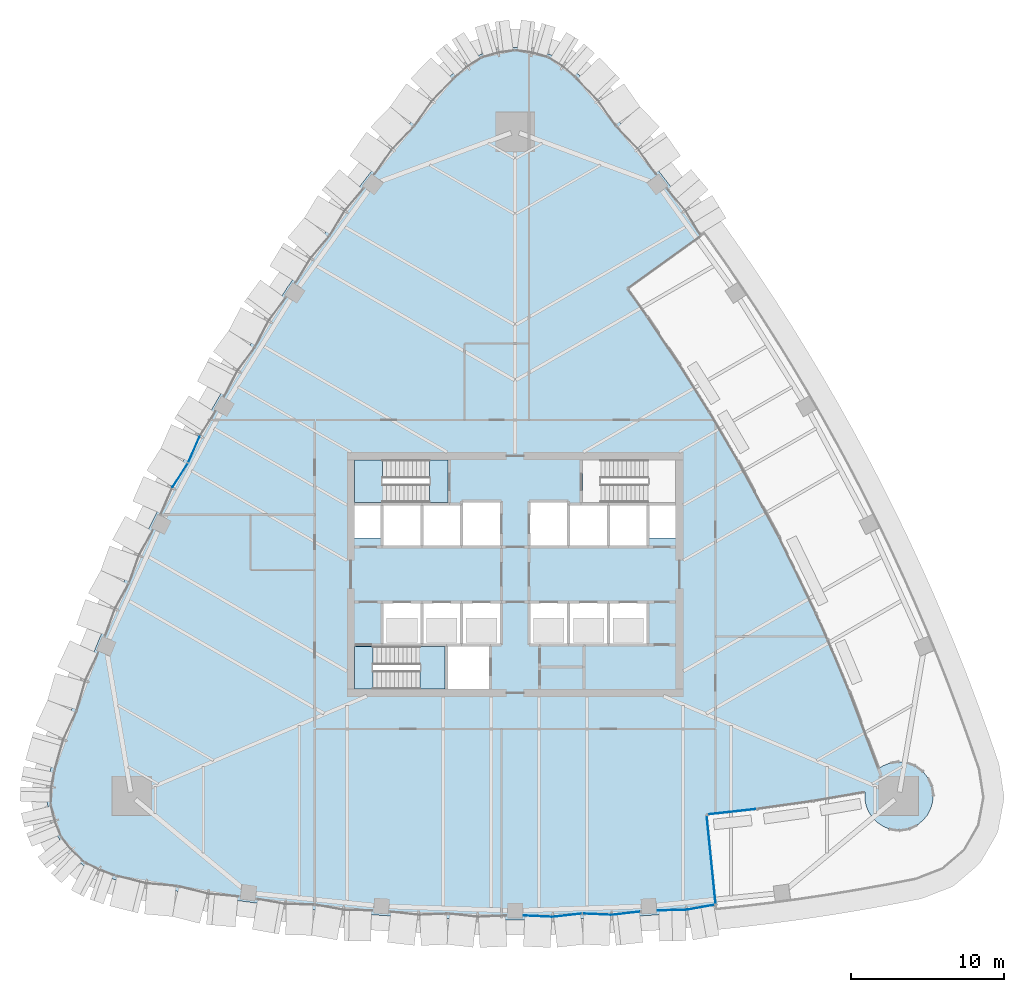
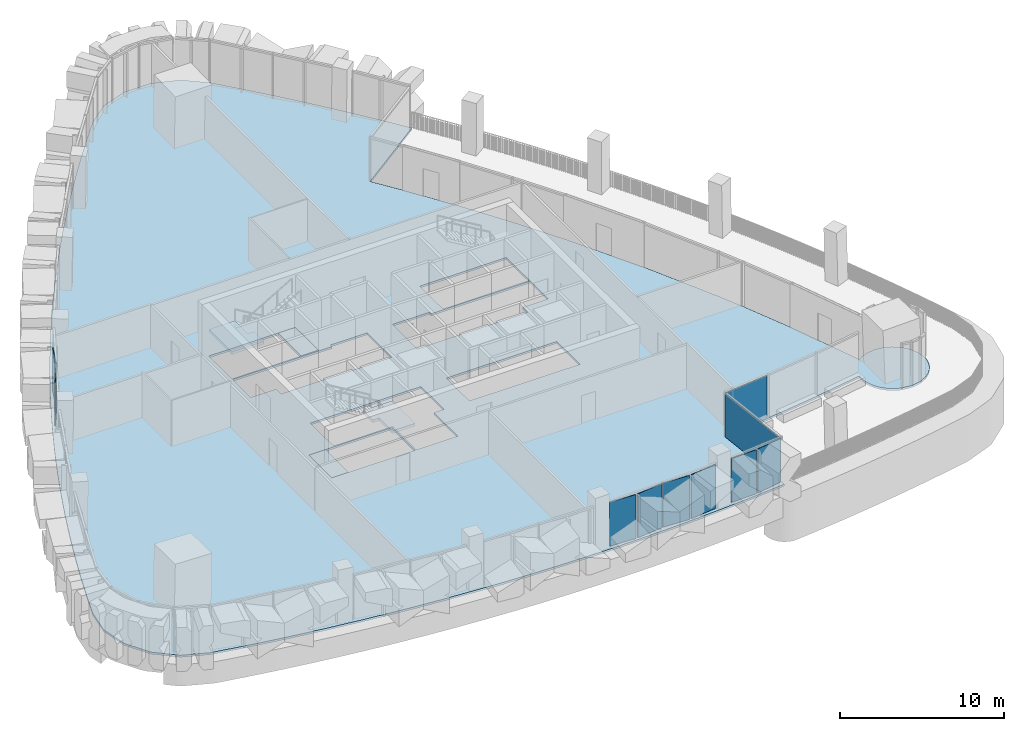
# One storey, part 9 of 20: 10 plates, 5 slabs, 7 elements without a shape of their own.
"""IFC4 building model written with IfcOpenShell, lengths in metres."""

from ifc_helpers import new_model, si_unit, direction, frame, origin, origin_2d, place, context, subcontext, project, spatial, polyline, rectangle, outline, extrude, material, layer, layer_set, type_object, element, aggregate, save


model = new_model("IFC4")

# Units and contexts
model_context = context("Model", 3, precision=1e-05, world=origin(), true_north=direction((0.0, 1.0)))
body_context = subcontext(model_context, "Body", "Model", "MODEL_VIEW")
ifc_project = project(units=[si_unit("LENGTHUNIT", "METRE"), si_unit("AREAUNIT", "SQUARE_METRE"), si_unit("VOLUMEUNIT", "CUBIC_METRE"), si_unit("PLANEANGLEUNIT", "RADIAN"), si_unit("MASSUNIT", "GRAM", prefix="KILO")], contexts=[model_context])

# Site, building, storey
site_placement = place(None, origin())
site = spatial("IfcSite", under=ifc_project, at=site_placement, CompositionType="ELEMENT")
building_placement = place(site_placement, origin())
building = spatial("IfcBuilding", under=site, at=building_placement, Name="Sierra Prisma Convention Tower", CompositionType="ELEMENT")
storey_placement = place(building_placement, frame((0.0, 0.0, 125.800048828125)))
storey = spatial("IfcBuildingStorey", under=building, at=storey_placement, Name="L26", CompositionType="ELEMENT", Elevation=125.800048828125)

# Curtain wall, plates
ifc_material_1 = material(Name="Aluminium and glass curtain wall", Category="aluminium")
ifc_layer_1 = layer(ifc_material_1, 0.179931640625)
ifc_layer_set_1 = layer_set([ifc_layer_1], Name="CW-2 Faceted crystal curtain wall")
curtain_wall_type_1 = type_object("IfcCurtainWallType", Name="CW-2 Faceted crystal curtain wall", PredefinedType="NOTDEFINED", material=ifc_layer_set_1)
curtain_wall_1_placement = place(storey_placement, origin())
curtain_wall_1 = element("IfcCurtainWall", 1, at=curtain_wall_1_placement, inside=storey, type_object=curtain_wall_type_1, Name="CW-2 NW4 L26", PredefinedType="NOTDEFINED")
ifc_material_2 = material(Name="Tinted glass bronze-grey IGU", Category="glass")
ifc_layer_2 = layer(ifc_material_2, 0.028076171875)
ifc_layer_set_2 = layer_set([ifc_layer_2], Name="CW-2 crystal pane")
plate_type_1 = type_object("IfcPlateType", Name="CW-2 crystal pane", PredefinedType="CURTAIN_PANEL", material=ifc_layer_set_2)
plate_1_placement = place(storey_placement, frame((-21.3896484375, 7.3330078125, 0.0), z_axis=(-0.916466425526, 0.400111598038, 0.0), x_axis=(0.400111598038, 0.916466425526, 0.0)))
plate_1 = element("IfcPlate", 2, at=plate_1_placement, type_object=plate_type_1, Name="CW-2 pane NW4.1.2", PredefinedType="CURTAIN_PANEL", context=body_context, shape_type="SweptSolid", body=[
    extrude(outline(polyline([(0.0, 0.0), (1.8293236120609129, 0.0), (1.8293236120609129, -3.280029296875), (0.0, -3.280029296875), (0.0, 0.0)])), origin(), (0.0, 0.0, -1.0), 0.028076171875),
])
plate_2_placement = place(storey_placement, frame((-21.422607421875, 7.271240234375, 0.0), z_axis=(-0.842615495475, 0.538515669953, 0.0), x_axis=(-0.538515669953, -0.842615495475, 0.0)))
plate_2 = element("IfcPlate", 3, at=plate_2_placement, type_object=plate_type_1, Name="CW-2 pane NW4.2.1", PredefinedType="CURTAIN_PANEL", context=body_context, shape_type="SweptSolid", body=[
    extrude(outline(polyline([(0.0, 0.0), (1.828847954108995, 0.0), (1.828847954108995, 3.280029296875), (0.0, 3.280029296875), (0.0, 0.0)])), origin(), (0.0, 0.0, -1.0), 0.028076171875),
])
aggregate(curtain_wall_1, [plate_1, plate_2])

curtain_wall_2_placement = place(storey_placement, origin())
curtain_wall_2 = element("IfcCurtainWall", 4, at=curtain_wall_2_placement, inside=storey, type_object=curtain_wall_type_1, Name="CW-2 S4 L26", PredefinedType="NOTDEFINED")
plate_3_placement = place(storey_placement, frame((0.569580078125, -22.316650390625, 0.0), z_axis=(-0.045111009928, -0.998981980209, 0.0), x_axis=(0.998981980209, -0.045111009928, 0.0)))
plate_3 = element("IfcPlate", 5, at=plate_3_placement, type_object=plate_type_1, Name="CW-2 pane S4.1.1", PredefinedType="CURTAIN_PANEL", context=body_context, shape_type="SweptSolid", body=[
    extrude(outline(polyline([(0.0, 0.0), (1.8292547957089123, 0.0), (1.8292547957089123, 3.280029296875), (0.0, 3.280029296875), (0.0, 0.0)])), origin(), (0.0, 0.0, -1.0), 0.028076171875),
])
plate_4_placement = place(storey_placement, frame((4.343994140625, -22.1904296875, 0.0), z_axis=(0.111720630057, -0.993739654447, 0.0), x_axis=(-0.993739654447, -0.111720630057, 0.0)))
plate_4 = element("IfcPlate", 6, at=plate_4_placement, type_object=plate_type_1, Name="CW-2 pane S4.1.2", PredefinedType="CURTAIN_PANEL", context=body_context, shape_type="SweptSolid", body=[
    extrude(outline(polyline([(0.0, 0.0), (1.829077611013847, 0.0), (1.829077611013847, -3.280029296875), (0.0, -3.280029296875), (0.0, 0.0)])), origin(), (0.0, 0.0, -1.0), 0.028076171875),
])
plate_5_placement = place(storey_placement, frame((4.4140625, -22.18798828125, 0.0), z_axis=(-0.04511702532, -0.998981708554, 0.0), x_axis=(0.998981708554, -0.04511702532, 0.0)))
plate_5 = element("IfcPlate", 7, at=plate_5_placement, type_object=plate_type_1, Name="CW-2 pane S4.2.1", PredefinedType="CURTAIN_PANEL", context=body_context, shape_type="SweptSolid", body=[
    extrude(outline(polyline([(0.0, 0.0), (1.829010903657059, 0.0), (1.829010903657059, 3.280029296875), (0.0, 3.280029296875), (0.0, 0.0)])), origin(), (0.0, 0.0, -1.0), 0.028076171875),
])
plate_6_placement = place(storey_placement, frame((8.1884765625, -22.061767578125, 0.0), z_axis=(0.111852438564, -0.993724827096, 0.0), x_axis=(-0.993724827096, -0.111852438564, 0.0)))
plate_6 = element("IfcPlate", 8, at=plate_6_placement, type_object=plate_type_1, Name="CW-2 pane S4.2.2", PredefinedType="CURTAIN_PANEL", context=body_context, shape_type="SweptSolid", body=[
    extrude(outline(polyline([(0.0, 0.0), (1.8291049026483202, 0.0), (1.8291049026483202, -3.280029296875), (0.0, -3.280029296875), (0.0, 0.0)])), origin(), (0.0, 0.0, -1.0), 0.028076171875),
])
aggregate(curtain_wall_2, [plate_3, plate_4, plate_5, plate_6])

curtain_wall_3_placement = place(storey_placement, origin())
curtain_wall_3 = element("IfcCurtainWall", 9, at=curtain_wall_3_placement, inside=storey, type_object=curtain_wall_type_1, Name="CW-2 S5 L26", PredefinedType="NOTDEFINED")
plate_7_placement = place(storey_placement, frame((9.337890625, -21.9853515625, 0.0), z_axis=(0.021792819366, -0.999762508311, 0.0), x_axis=(0.999762508311, 0.021792819366, 0.0)))
plate_7 = element("IfcPlate", 10, at=plate_7_placement, type_object=plate_type_1, Name="CW-2 pane S5.1.1", PredefinedType="CURTAIN_PANEL", context=body_context, shape_type="SweptSolid", body=[
    extrude(outline(polyline([(0.0, 0.0), (1.8036510083745494, 0.0), (1.8036510083745494, 3.280029296875), (0.0, 3.280029296875), (0.0, 0.0)])), origin(), (0.0, 0.0, -1.0), 0.028076171875),
])
plate_8_placement = place(storey_placement, frame((13.044677734375, -21.6123046875, 0.0), z_axis=(0.177884643021, -0.984051347124, 0.0), x_axis=(-0.984051347124, -0.177884643021, 0.0)))
plate_8 = element("IfcPlate", 11, at=plate_8_placement, type_object=plate_type_1, Name="CW-2 pane S5.1.2", PredefinedType="CURTAIN_PANEL", context=body_context, shape_type="SweptSolid", body=[
    extrude(outline(polyline([(0.0, 0.0), (1.803420327923988, 0.0), (1.803420327923988, -3.280029296875), (0.0, -3.280029296875), (0.0, 0.0)])), origin(), (0.0, 0.0, -1.0), 0.028076171875),
])
aggregate(curtain_wall_3, [plate_7, plate_8])

# Curtain wall, plate
ifc_material_3 = material(Name="Aluminium and glass curtain wall", Category="aluminium")
ifc_layer_3 = layer(ifc_material_3, 0.179931640625)
ifc_layer_set_3 = layer_set([ifc_layer_3], Name="CW-6 Terrace recess curtain wall")
curtain_wall_type_2 = type_object("IfcCurtainWallType", Name="CW-6 Terrace recess curtain wall", PredefinedType="NOTDEFINED", material=ifc_layer_set_3)
curtain_wall_4_placement = place(storey_placement, origin())
curtain_wall_4 = element("IfcCurtainWall", 12, at=curtain_wall_4_placement, inside=storey, type_object=curtain_wall_type_2, Name="CW-6 R1 L26", PredefinedType="NOTDEFINED")
ifc_material_4 = material(Name="Tinted glass bronze-grey IGU", Category="glass")
ifc_layer_4 = layer(ifc_material_4, 0.028076171875)
ifc_layer_set_4 = layer_set([ifc_layer_4], Name="CW-6 glass panel")
plate_type_2 = type_object("IfcPlateType", Name="CW-6 glass panel", PredefinedType="CURTAIN_PANEL", material=ifc_layer_set_4)
plate_9_placement = place(storey_placement, frame((14.149658203125, -15.5166015625, 0.0), z_axis=(0.0, 0.0, 1.0), x_axis=(0.994041536223, 0.109001946143, 0.0)))
plate_9 = element("IfcPlate", 13, at=plate_9_placement, type_object=plate_type_2, Name="CW-6 panel R1.1", PredefinedType="CURTAIN_PANEL", context=body_context, shape_type="SweptSolid", body=[
    extrude(rectangle(XDim=3.1396484375, YDim=0.028076171875, at=origin_2d()), origin(), (0.0, 0.0, 1.0), 3.219970703125),
])
aggregate(curtain_wall_4, [plate_9])

curtain_wall_5_placement = place(storey_placement, origin())
curtain_wall_5 = element("IfcCurtainWall", 14, at=curtain_wall_5_placement, inside=storey, type_object=curtain_wall_type_2, Name="CW-6 RT1 L26", PredefinedType="NOTDEFINED")
plate_10_placement = place(storey_placement, frame((12.81689453125, -18.650390625, 0.0), z_axis=(0.0, 0.0, 1.0), x_axis=(-0.100117698725, 0.994975600908, 0.0)))
plate_10 = element("IfcPlate", 15, at=plate_10_placement, type_object=plate_type_2, Name="CW-6 panel RT1.1", PredefinedType="CURTAIN_PANEL", context=body_context, shape_type="SweptSolid", body=[
    extrude(rectangle(XDim=5.7998046875, YDim=0.028076171875, at=origin_2d()), origin(), (0.0, 0.0, 1.0), 3.219970703125),
])
aggregate(curtain_wall_5, [plate_10])

# Slab
ifc_material_5 = material(Name="Concrete C35/45", Category="concrete")
ifc_layer_5 = layer(ifc_material_5, 0.14990234375)
ifc_layer_set_5 = layer_set([ifc_layer_5], Name="Composite floor slab 150")
slab_type_1 = type_object("IfcSlabType", Name="Composite floor slab 150", PredefinedType="FLOOR", material=ifc_layer_set_5)
slab_1_placement = place(storey_placement, frame((0.0, 0.0, -0.150146484375)))
element("IfcSlab", 16, at=slab_1_placement, inside=storey, type_object=slab_type_1, Name="Floor slab L26 floor", PredefinedType="FLOOR", context=body_context, shape_type="SweptSolid", body=[
    extrude(outline(polyline([(12.682861328125, -21.972900390625), (13.147705078125, -21.92431640625), (12.51953125, -15.6953125), (15.77978515625, -15.337890625), (19.46533203125, -14.814208984375), (22.874267578125, -14.22802734375), (22.8681640625, -14.70849609375), (22.95361328125, -15.138916015625), (23.12158203125, -15.544189453125), (23.365478515625, -15.9091796875), (23.67578125, -16.219482421875), (24.04052734375, -16.463134765625), (24.446044921875, -16.631103515625), (25.095703125, -16.7275390625), (25.74560546875, -16.631103515625), (26.33935546875, -16.350341796875), (26.6787109375, -16.072021484375), (26.95703125, -15.732666015625), (27.163818359375, -15.345703125), (27.291259765625, -14.92578125), (27.334228515625, -14.489013671875), (27.23779296875, -13.83935546875), (26.95703125, -13.245361328125), (26.6787109375, -12.90625), (26.151123046875, -12.514892578125), (25.532470703125, -12.293701171875), (25.095703125, -12.25048828125), (24.446044921875, -12.346923828125), (24.04052734375, -12.514892578125), (23.75927734375, -12.69677734375), (21.88037109375, -7.718505859375), (20.43994140625, -4.285888671875), (19.681640625, -2.5859375), (17.25634765625, 2.443603515625), (14.609375, 7.360107421875), (12.72412109375, 10.570068359375), (10.744384765625, 13.72265625), (8.671875, 16.81494140625), (7.338134765625, 18.69482421875), (12.41259765625, 22.34912109375), (11.5400390625, 23.552001953125), (10.369140625, 25.116455078125), (9.175048828125, 26.66357421875), (7.958251953125, 28.192626953125), (6.71875, 29.70361328125), (5.45703125, 31.19580078125), (4.17333984375, 32.669189453125), (2.7099609375, 33.845947265625), (0.93896484375, 34.469970703125), (-0.93896484375, 34.469970703125), (-2.7099609375, 33.845947265625), (-4.17333984375, 32.669189453125), (-5.45703125, 31.19580078125), (-6.71875, 29.70361328125), (-7.958251953125, 28.192626953125), (-9.175048828125, 26.66357421875), (-10.369140625, 25.116455078125), (-11.5400390625, 23.552001953125), (-12.6875, 21.97021484375), (-13.8115234375, 20.371337890625), (-14.91162109375, 18.756103515625), (-15.987548828125, 17.124755859375), (-17.0390625, 15.4775390625), (-18.06591796875, 13.81494140625), (-19.068115234375, 12.13720703125), (-20.045166015625, 10.44482421875), (-20.9970703125, 8.738037109375), (-21.923583984375, 7.017333984375), (-22.82421875, 5.283203125), (-23.698974609375, 3.53564453125), (-24.5478515625, 1.775390625), (-25.370361328125, 0.002685546875), (-26.16650390625, -1.781982421875), (-26.93603515625, -3.578369140625), (-27.678955078125, -5.385986328125), (-28.394775390625, -7.204345703125), (-29.08349609375, -9.033203125), (-29.744873046875, -10.8720703125), (-30.379150390625, -12.720458984375), (-30.66650390625, -14.576171875), (-30.3212890625, -16.421875), (-29.38232421875, -18.048095703125), (-27.95654296875, -19.27001953125), (-26.205810546875, -19.94873046875), (-24.287841796875, -20.323974609375), (-22.36474609375, -20.67041015625), (-20.4365234375, -20.988525390625), (-18.503662109375, -21.277587890625), (-16.56689453125, -21.538330078125), (-14.62646484375, -21.77001953125), (-12.682861328125, -21.972900390625), (-10.736328125, -22.146728515625), (-8.78759765625, -22.291748046875), (-6.836669921875, -22.407958984375), (-4.884521484375, -22.494873046875), (-2.93115234375, -22.552978515625), (-0.97705078125, -22.58203125), (0.97705078125, -22.58203125), (2.93115234375, -22.552978515625), (4.884521484375, -22.494873046875), (6.836669921875, -22.407958984375), (8.78759765625, -22.291748046875), (10.736328125, -22.146728515625), (12.682861328125, -21.972900390625)]), holes=[polyline([(-4.60009765625, -7.5), (-10.5, -7.5), (-10.5, -4.699951171875), (-4.60009765625, -4.699951171875), (-4.60009765625, -7.5)]), polyline([(-8.699951171875, -4.60009765625), (-8.699951171875, -1.800048828125), (-6.10009765625, -1.800048828125), (-3.5, -1.800048828125), (-0.89990234375, -1.800048828125), (-0.89990234375, -4.60009765625), (-1.60009765625, -4.60009765625), (-1.60009765625, -7.5), (-4.5, -7.5), (-4.5, -4.60009765625), (-6.10009765625, -4.60009765625), (-8.699951171875, -4.60009765625)]), polyline([(-10.5, 4.60009765625), (-8.699951171875, 4.60009765625), (-6.10009765625, 4.60009765625), (-3.5, 4.60009765625), (-3.5, 4.800048828125), (-0.89990234375, 4.800048828125), (-0.89990234375, 1.800048828125), (-3.5, 1.800048828125), (-6.10009765625, 1.800048828125), (-8.699951171875, 1.800048828125), (-8.699951171875, 2.39990234375), (-10.5, 2.39990234375), (-10.5, 4.60009765625)]), polyline([(-10.5, 4.699951171875), (-10.5, 7.5), (-4.39990234375, 7.5), (-4.39990234375, 4.699951171875), (-10.5, 4.699951171875)]), polyline([(6.10009765625, -1.800048828125), (8.699951171875, -1.800048828125), (8.699951171875, -4.60009765625), (6.10009765625, -4.60009765625), (3.5, -4.60009765625), (0.89990234375, -4.60009765625), (0.89990234375, -1.800048828125), (3.5, -1.800048828125), (6.10009765625, -1.800048828125)]), polyline([(8.699951171875, 4.60009765625), (10.5, 4.60009765625), (10.5, 2.39990234375), (8.699951171875, 2.39990234375), (8.699951171875, 1.800048828125), (6.10009765625, 1.800048828125), (3.5, 1.800048828125), (0.89990234375, 1.800048828125), (0.89990234375, 4.800048828125), (3.5, 4.800048828125), (3.5, 4.60009765625), (6.10009765625, 4.60009765625), (8.699951171875, 4.60009765625)]), polyline([(4.39990234375, 4.699951171875), (4.39990234375, 7.5), (10.5, 7.5), (10.5, 4.699951171875), (4.39990234375, 4.699951171875)])]), origin(), (0.0, 0.0, 1.0), 0.150146484375),
])

# Stair, slab
ifc_material_6 = material(Name="Concrete C30/37", Category="concrete")
stair_type = type_object("IfcStairType", Name="Stair dog-leg 1200 RC", PredefinedType="HALF_TURN_STAIR", material=ifc_material_6)
stair_1_placement = place(storey_placement, origin())
stair_1 = element("IfcStair", 17, at=stair_1_placement, inside=storey, type_object=stair_type, Name="L26 S1", PredefinedType="HALF_TURN_STAIR")
ifc_material_7 = material(Name="Concrete C35/45", Category="concrete")
ifc_layer_6 = layer(ifc_material_7, 0.199951171875)
ifc_layer_set_6 = layer_set([ifc_layer_6], Name="Stair landing slab")
slab_type_2 = type_object("IfcSlabType", Name="Stair landing slab", PredefinedType="LANDING", material=ifc_layer_set_6)
slab_2_placement = place(storey_placement, frame((0.0, 0.0, 1.800048828125)))
slab_2 = element("IfcSlab", 18, at=slab_2_placement, type_object=slab_type_2, Name="S1 landing 1", PredefinedType="LANDING", context=body_context, shape_type="SweptSolid", body=[
    extrude(outline(polyline([(-4.60009765625, -4.699951171875), (-4.60009765625, -7.5), (-6.221923828125, -7.5), (-6.221923828125, -5.89990234375), (-6.669921875, -5.89990234375), (-6.669921875, -4.699951171875), (-4.60009765625, -4.699951171875)])), origin(), (0.0, 0.0, 1.0), 0.199951171875),
])
aggregate(stair_1, [slab_2])

# Slab
slab_3_placement = place(storey_placement, frame((0.0, 0.0, -0.199951171875)))
element("IfcSlab", 19, at=slab_3_placement, inside=storey, type_object=slab_type_2, Name="S1 floor landing L26", PredefinedType="LANDING", context=body_context, shape_type="SweptSolid", body=[
    extrude(outline(polyline([(-10.5, -7.5), (-9.298095703125, -7.5), (-9.298095703125, -4.699951171875), (-10.5, -4.699951171875), (-10.5, -7.5)])), origin(), (0.0, 0.0, 1.0), 0.199951171875),
])

# Stair, slab
stair_2_placement = place(storey_placement, origin())
stair_2 = element("IfcStair", 20, at=stair_2_placement, inside=storey, type_object=stair_type, Name="L26 S3", PredefinedType="HALF_TURN_STAIR")
slab_4_placement = place(storey_placement, frame((0.0, 0.0, 1.800048828125)))
slab_4 = element("IfcSlab", 21, at=slab_4_placement, type_object=slab_type_2, Name="S3 landing 1", PredefinedType="LANDING", context=body_context, shape_type="SweptSolid", body=[
    extrude(outline(polyline([(-8.22998046875, 5.89990234375), (-8.22998046875, 4.699951171875), (-10.5, 4.699951171875), (-10.5, 7.5), (-8.677978515625, 7.5), (-8.677978515625, 5.89990234375), (-8.22998046875, 5.89990234375)])), origin(), (0.0, 0.0, 1.0), 0.199951171875),
])
aggregate(stair_2, [slab_4])

# Slab
slab_5_placement = place(storey_placement, frame((0.0, 0.0, -0.199951171875)))
element("IfcSlab", 22, at=slab_5_placement, inside=storey, type_object=slab_type_2, Name="S3 floor landing L26", PredefinedType="LANDING", context=body_context, shape_type="SweptSolid", body=[
    extrude(outline(polyline([(-4.39990234375, 7.5), (-5.60205078125, 7.5), (-5.60205078125, 4.699951171875), (-4.39990234375, 4.699951171875), (-4.39990234375, 7.5)])), origin(), (0.0, 0.0, 1.0), 0.199951171875),
])

save(model, "model.ifc")
